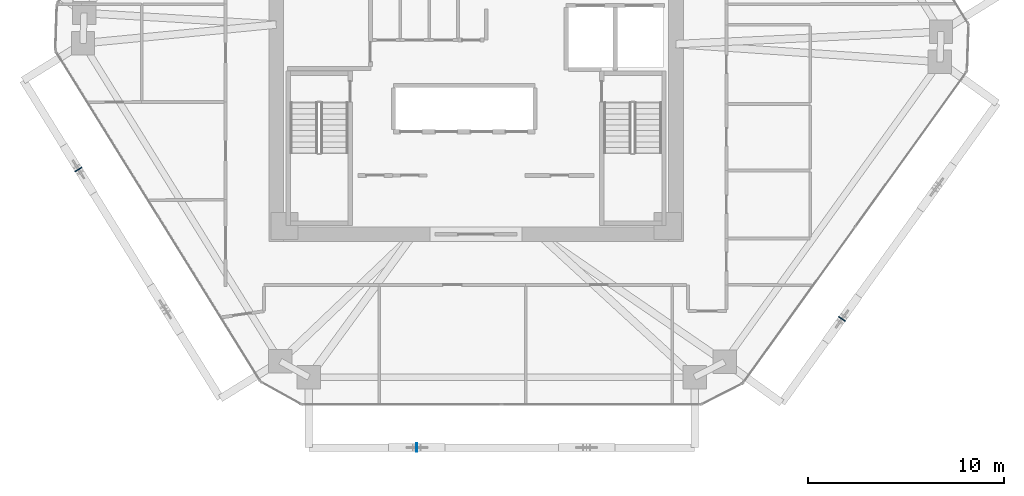
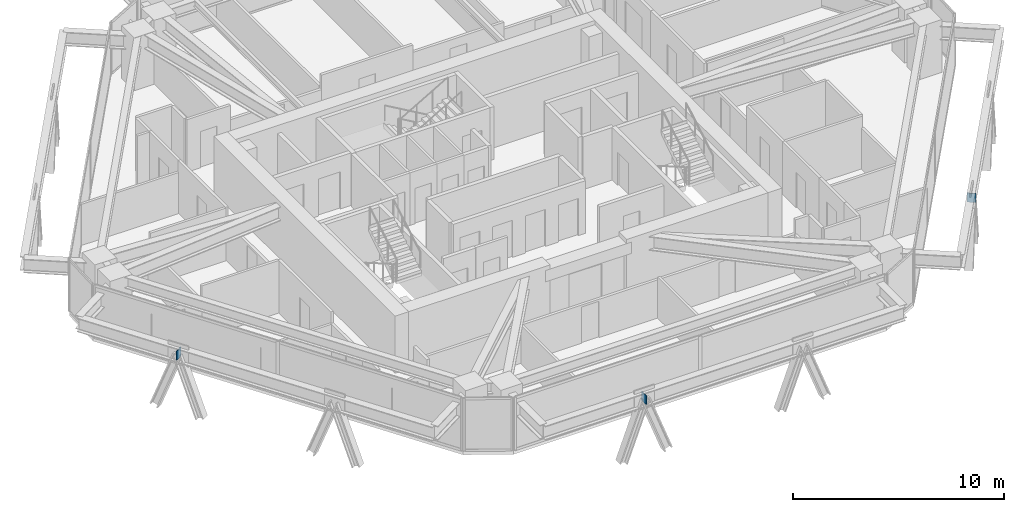
# One storey, part 10 of 16: 3 plates.
"""IFC4 building model written with IfcOpenShell, lengths in metres."""

from ifc_helpers import new_model, si_unit, direction, frame, origin, origin_2d, place, context, subcontext, project, spatial, rectangle, extrude, source, transform, mapped, material, layer, layer_set, type_object, type_shapes, element, save


model = new_model("IFC4")

# Units and contexts
model_context = context("Model", 3, precision=1e-05, world=origin(), true_north=direction((0.0, 1.0)))
body_context = subcontext(model_context, "Body", "Model", "MODEL_VIEW")
ifc_project = project(units=[si_unit("LENGTHUNIT", "METRE"), si_unit("AREAUNIT", "SQUARE_METRE"), si_unit("VOLUMEUNIT", "CUBIC_METRE"), si_unit("PLANEANGLEUNIT", "RADIAN"), si_unit("MASSUNIT", "GRAM", prefix="KILO")], contexts=[model_context])

# Site, building, storey
site_placement = place(None, origin())
site = spatial("IfcSite", under=ifc_project, at=site_placement, CompositionType="ELEMENT")
building_placement = place(site_placement, origin())
building = spatial("IfcBuilding", under=site, at=building_placement, Name="Durnholm Broadcast Tower", CompositionType="ELEMENT")
storey_placement = place(building_placement, frame((0.0, 0.0, 123.89990234375)))
storey = spatial("IfcBuildingStorey", under=building, at=storey_placement, Name="L33", CompositionType="ELEMENT", Elevation=123.89990234375)

# Plates
ifc_material = material(Name="Steel ASTM A572 Grade 50", Category="steel")
ifc_layer = layer(ifc_material, 0.044921875)
ifc_layer_set = layer_set([ifc_layer], Name="Steel ASTM A572 Grade 50")
plate_type = type_object("IfcPlateType", Name="PLT-KN-STIF", PredefinedType="SHEET", material=ifc_layer_set)
shared_shape = source(origin(), body_context, "Body", "SweptSolid", [
    extrude(rectangle(XDim=0.044921875, YDim=0.419921875, at=origin_2d()), origin(), (0.0, 0.0, 1.0), 0.52001953125),
])
type_shapes(plate_type, [shared_shape])
for number, where, z_axis, x_axis, name in (
    (1, (-3.028076171875, -19.136962890625, 2.048583984375), (0.0, 0.0, 1.0), (1.0, 0.0, 0.0), "L33 welded diagrid node stiffener plate F1"),
    (2, (18.71875, -12.556396484375, 2.048583984375), (0.0, 0.0, 1.0), (0.583399467156, 0.812185361677, 0.0), "L33 welded diagrid node stiffener plate F2"),
    (3, (-20.337158203125, -4.910400390625, 2.048583984375), (0.0, 0.0, 1.0), (0.527104121728, -0.849800708906, 0.0), "L33 welded diagrid node stiffener plate F6"),
):
    element("IfcPlate", number, at=place(storey_placement, frame(where, z_axis=z_axis, x_axis=x_axis)), inside=storey, type_object=plate_type, Name=name, PredefinedType="SHEET", context=body_context, shape_type="MappedRepresentation", body=[
        mapped(shared_shape, transform((0.0, 0.0, 0.0), x_axis=(1.0, 0.0, 0.0), y_axis=(0.0, 1.0, 0.0), z_axis=(0.0, 0.0, 1.0), scale=1.0)),
    ])

save(model, "model.ifc")
